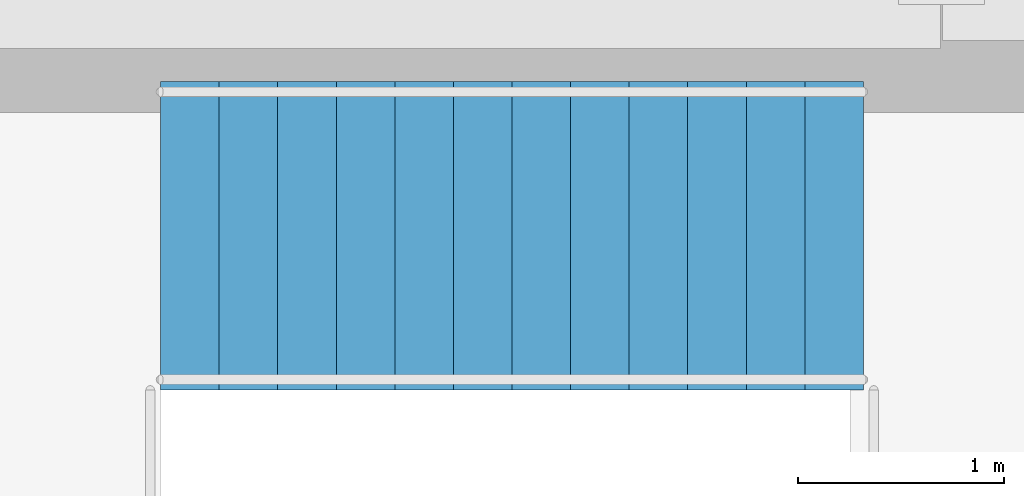
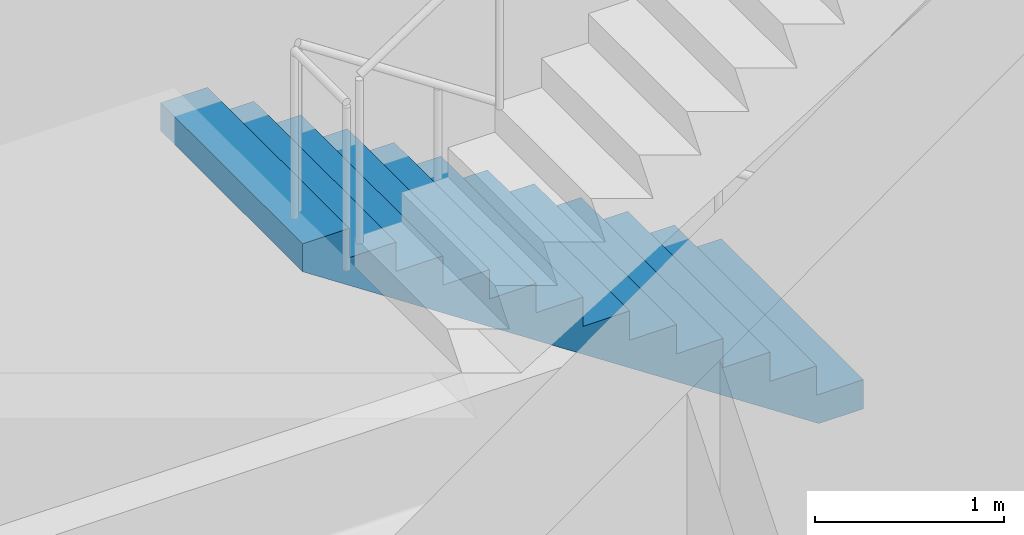
# One storey, part 9 of 12: 1 stair flight, 1 element without a shape of its own.
"""IFC4 building model written with IfcOpenShell, lengths in metres."""

import ifcopenshell
import ifcopenshell.guid

model = None  # the IFC model being written
_history = None  # IfcOwnerHistory: only IFC2X3 demands one
_inside = {}  # id of a spatial element -> (the spatial element, [elements in it])
_under = {}  # id of a project, library or spatial element -> (it, [spatial elements below it])
_declared = {}  # id of a project -> (the project, [libraries it declares])
_typed = {}  # id of a type object -> (the type object, [elements of that type])
_made_of = {}  # id of a material, layer set ... -> (it, [elements and type objects made of it])


def new_model(schema):
    """Start an empty IFC model of exactly this schema.

    Asked for "IFC4X3", IfcOpenShell would pick the latest addendum, in which some entities
    have other attributes; the version numbers below select the first issue.
    IFC2X3 requires an IfcOwnerHistory on every rooted entity: one is made here for all.
    """
    global model, _history
    if schema == "IFC4X3":
        model = ifcopenshell.file(schema_version=(4, 3, 0, 0))
    else:
        model = ifcopenshell.file(schema=schema)
    _inside.clear()
    _under.clear()
    _declared.clear()
    _typed.clear()
    _made_of.clear()
    _history = None
    if model.schema == "IFC2X3":
        org = make("IfcOrganization", Name="unknown")
        user = make(
            "IfcPersonAndOrganization",
            ThePerson=make("IfcPerson", FamilyName="unknown"),
            TheOrganization=org,
        )
        app = make(
            "IfcApplication",
            ApplicationDeveloper=org,
            Version="unknown",
            ApplicationFullName="unknown",
            ApplicationIdentifier="unknown",
        )
        _history = make(
            "IfcOwnerHistory",
            OwningUser=user,
            OwningApplication=app,
            ChangeAction="ADDED",
            CreationDate=0,
        )
    return model


def make(cls, **values):
    """One entity of the class cls with the attributes given. An attribute that is None is left unset."""
    return model.create_entity(
        cls, **{name: value for name, value in values.items() if value is not None}
    )


def rooted(cls, **values):
    """An entity with a GlobalId (a new one), such as an element, a storey or a relation."""
    return make(cls, GlobalId=ifcopenshell.guid.new(), OwnerHistory=_history, **values)


def si_unit(unit_type, name, prefix=None):
    """IfcSIUnit, for example si_unit("LENGTHUNIT", "METRE", prefix="MILLI")."""
    return make("IfcSIUnit", UnitType=unit_type, Prefix=prefix, Name=name)


def assignment(units):
    """IfcUnitAssignment: the units of a project."""
    return None if units is None else make("IfcUnitAssignment", Units=units)


def point(xyz):
    """IfcCartesianPoint."""
    return None if xyz is None else make("IfcCartesianPoint", Coordinates=xyz)


def direction(xyz):
    """IfcDirection."""
    return None if xyz is None else make("IfcDirection", DirectionRatios=xyz)


def frame(location, z_axis=None, x_axis=None):
    """IfcAxis2Placement3D, a coordinate frame: its origin and axes. An axis left out is left unset."""
    return make(
        "IfcAxis2Placement3D",
        Location=point(location),
        Axis=direction(z_axis),
        RefDirection=direction(x_axis),
    )


def origin():
    """The frame at (0, 0, 0) with its axes left unset."""
    return frame((0.0, 0.0, 0.0))


def place(relative_to, where):
    """IfcLocalPlacement: puts the frame where relative to a parent placement (None: the world)."""
    return make(
        "IfcLocalPlacement", PlacementRelTo=relative_to, RelativePlacement=where
    )


def context(
    kind, dimensions, precision=None, world=None, true_north=None, identifier=None
):
    """IfcGeometricRepresentationContext, for example the 3D "Model" context."""
    return make(
        "IfcGeometricRepresentationContext",
        ContextIdentifier=identifier,
        ContextType=kind,
        CoordinateSpaceDimension=dimensions,
        Precision=precision,
        WorldCoordinateSystem=world,
        TrueNorth=true_north,
    )


def subcontext(parent, identifier, kind, view, scale=None):
    """IfcGeometricRepresentationSubContext, for example "Body" below "Model"."""
    return make(
        "IfcGeometricRepresentationSubContext",
        ContextIdentifier=identifier,
        ContextType=kind,
        ParentContext=parent,
        TargetScale=scale,
        TargetView=view,
    )


def project(units=None, contexts=None):
    """IfcProject with its units and contexts."""
    return rooted(
        "IfcProject",
        Name="project",
        RepresentationContexts=contexts,
        UnitsInContext=assignment(units),
    )


def spatial(cls, under=None, at=None, **own):
    """A site, building, storey or space (cls), placed at a placement, below another one or the project."""
    s = rooted(cls, ObjectPlacement=at, **own)
    if under is not None:
        _under.setdefault(under.id(), (under, []))[1].append(s)
    return s


def polyline(points):
    """IfcPolyline through the points."""
    return make("IfcPolyline", Points=[point(p) for p in points])


def outline(outer, holes=None, kind="AREA"):
    """IfcArbitraryClosedProfileDef: a profile drawn as a closed curve; with holes, ...WithVoids."""
    if holes is None:
        return make("IfcArbitraryClosedProfileDef", ProfileType=kind, OuterCurve=outer)
    return make(
        "IfcArbitraryProfileDefWithVoids",
        ProfileType=kind,
        OuterCurve=outer,
        InnerCurves=holes,
    )


def extrude(swept, where, along, depth):
    """IfcExtrudedAreaSolid: the profile swept, set in the frame where, extruded along a direction by depth."""
    return make(
        "IfcExtrudedAreaSolid",
        SweptArea=swept,
        Position=where,
        ExtrudedDirection=direction(along),
        Depth=depth,
    )


def shape(context_of_items, identifier, shape_type, items):
    """IfcShapeRepresentation: the items that make up one representation, for example the "Body"."""
    return make(
        "IfcShapeRepresentation",
        ContextOfItems=context_of_items,
        RepresentationIdentifier=identifier,
        RepresentationType=shape_type,
        Items=items,
    )


def material(Name=None, Category=None):
    """IfcMaterial."""
    return make("IfcMaterial", Name=Name, Category=Category)


def made_of(thing, what):
    """Note that an element or type object is made of a material, layer set ...; save() writes the relation."""
    if what is not None:
        _made_of.setdefault(what.id(), (what, []))[1].append(thing)
    return thing


def type_object(cls, material=None, **own):
    """A type object (cls), such as IfcWallType, which elements share."""
    return made_of(rooted(cls, **own), material)


def element(
    cls,
    number,
    at=None,
    inside=None,
    cuts=None,
    type_object=None,
    material=None,
    context=None,
    identifier="Body",
    shape_type=None,
    held_by="IfcProductDefinitionShape",
    body=None,
    shapes=None,
    **own,
):
    """One element of the class cls, such as IfcWall. Its Tag is "e" and its number.

    at: its placement. inside: the storey or other place that contains it. cuts: it is an
    opening in that element (IfcRelVoidsElement). A single representation is given by context,
    identifier, shape_type and body (its items); several are given by shapes. held_by: the class
    of the entity that holds the representations. save() writes the other relations.
    """
    e = rooted(cls, Tag="e%d" % number, ObjectPlacement=at, **own)
    if body is not None:
        shapes = [shape(context, identifier, shape_type, body)]
    if shapes is not None:
        e.Representation = make(held_by, Representations=shapes)
    if inside is not None:
        _inside.setdefault(inside.id(), (inside, []))[1].append(e)
    if cuts is not None:
        rooted(
            "IfcRelVoidsElement", RelatingBuildingElement=cuts, RelatedOpeningElement=e
        )
    if type_object is not None:
        _typed.setdefault(type_object.id(), (type_object, []))[1].append(e)
    return made_of(e, material)


def aggregate(whole, parts):
    """IfcRelAggregates: a whole, such as a stair, and the parts it consists of."""
    return rooted("IfcRelAggregates", RelatingObject=whole, RelatedObjects=parts)


def save(model, path):
    """Write the relations noted so far, then the file.

    IfcRelAggregates (storeys below a building ...), IfcRelContainedInSpatialStructure (elements
    in a storey), IfcRelDefinesByType, IfcRelAssociatesMaterial and IfcRelDeclares: one each for
    every whole, place, type object, material and project.
    """
    for whole, parts in _under.values():
        aggregate(whole, parts)
    for where, things in _inside.values():
        rooted(
            "IfcRelContainedInSpatialStructure",
            RelatedElements=things,
            RelatingStructure=where,
        )
    for kind, things in _typed.values():
        rooted("IfcRelDefinesByType", RelatedObjects=things, RelatingType=kind)
    for what, things in _made_of.values():
        rooted("IfcRelAssociatesMaterial", RelatedObjects=things, RelatingMaterial=what)
    for by, libraries in _declared.values():
        rooted("IfcRelDeclares", RelatingContext=by, RelatedDefinitions=libraries)
    model.write(path)


model = new_model("IFC4")

# Units and contexts
model_context = context("Model", 3, precision=1e-05, world=origin(), true_north=direction((0.0, 1.0)))
body_context = subcontext(model_context, "Body", "Model", "MODEL_VIEW")
ifc_project = project(units=[si_unit("LENGTHUNIT", "METRE"), si_unit("AREAUNIT", "SQUARE_METRE"), si_unit("VOLUMEUNIT", "CUBIC_METRE"), si_unit("PLANEANGLEUNIT", "RADIAN"), si_unit("MASSUNIT", "GRAM", prefix="KILO")], contexts=[model_context])

# Site, building, storey
site_placement = place(None, origin())
site = spatial("IfcSite", under=ifc_project, at=site_placement, CompositionType="ELEMENT")
building_placement = place(site_placement, origin())
building = spatial("IfcBuilding", under=site, at=building_placement, Name="Cobrela Telecom Tower", CompositionType="ELEMENT")
storey_placement = place(building_placement, frame((0.0, 0.0, 26.25)))
storey = spatial("IfcBuildingStorey", under=building, at=storey_placement, Name="L06", CompositionType="ELEMENT", Elevation=26.25)

# Stair, stair flight
ifc_material = material(Name="Concrete C40/50", Category="concrete")
stair_type = type_object("IfcStairType", Name="STAIR-CORE", PredefinedType="HALF_TURN_STAIR", material=ifc_material)
stair_placement = place(storey_placement, origin())
stair = element("IfcStair", 1, at=stair_placement, inside=storey, type_object=stair_type, Name="L06 Smokeproof Exit Stair ST1", PredefinedType="HALF_TURN_STAIR")
stair_flight_type = type_object("IfcStairFlightType", Name="FLIGHT-CORE", PredefinedType="STRAIGHT", material=ifc_material)
stair_flight_placement = place(storey_placement, frame((6.820068359375, 34.800048828125, 0.0), z_axis=(0.0, 0.0, 1.0), x_axis=(-1.0, 0.0, 0.0)))
stair_flight = element("IfcStairFlight", 2, at=stair_flight_placement, type_object=stair_flight_type, Name="ST1 flight 1", NumberOfRisers=13, NumberOfTreads=12, PredefinedType="STRAIGHT", RiserHeight=0.188461538, TreadLength=0.285, context=body_context, shape_type="SweptSolid", body=[
    extrude(outline(polyline([(0.0, 0.0), (0.0, 0.1884765625), (0.284912109375, 0.1884765625), (0.284912109375, 0.376953125), (0.570068359375, 0.376953125), (0.570068359375, 0.5654296875), (0.85498046875, 0.5654296875), (0.85498046875, 0.75390625), (1.139892578125, 0.75390625), (1.139892578125, 0.9423828125), (1.425048828125, 0.9423828125), (1.425048828125, 1.130859375), (1.7099609375, 1.130859375), (1.7099609375, 1.3193359375), (1.9951171875, 1.3193359375), (1.9951171875, 1.5078125), (2.280029296875, 1.5078125), (2.280029296875, 1.696044921875), (2.56494140625, 1.696044921875), (2.56494140625, 1.884521484375), (2.85009765625, 1.884521484375), (2.85009765625, 2.072998046875), (3.135009765625, 2.072998046875), (3.135009765625, 2.261474609375), (3.419921875, 2.261474609375), (3.419921875, 2.449951171875), (3.419921875, 2.081787109375), (0.271728515625, 0.0), (0.0, 0.0)])), frame((0.0, 0.75, 0.0), z_axis=(0.0, -1.0, 0.0), x_axis=(1.0, 0.0, 0.0)), (0.0, 0.0, 1.0), 1.5),
])
aggregate(stair, [stair_flight])

save(model, "model.ifc")
